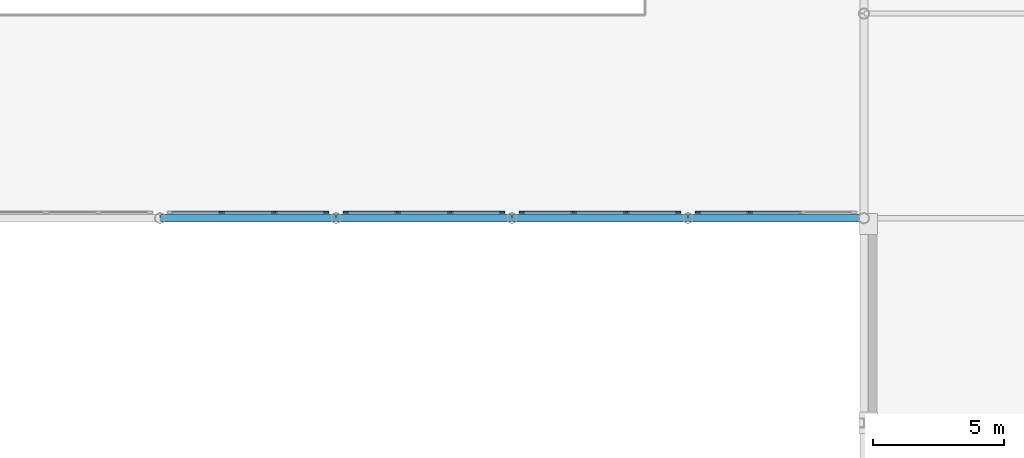
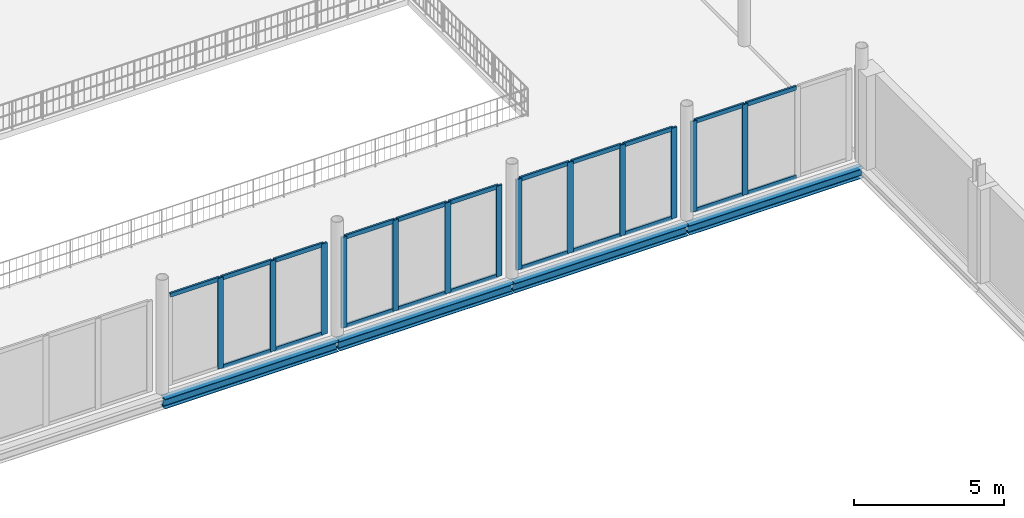
# One storey, part 29 of 98: 34 members, 4 beams, 4 elements without a shape of their own.
"""IFC4 building model written with IfcOpenShell, lengths in metres."""

from ifc_helpers import new_model, si_unit, direction, frame, origin, origin_2d, place, context, subcontext, project, spatial, rectangle, i_section, extrude, material, material_profile, profile_set, type_object, element, aggregate, save


model = new_model("IFC4")

# Units and contexts
model_context = context("Model", 3, precision=1e-05, world=origin(), true_north=direction((0.0, 1.0)))
body_context = subcontext(model_context, "Body", "Model", "MODEL_VIEW")
ifc_project = project(units=[si_unit("LENGTHUNIT", "METRE"), si_unit("AREAUNIT", "SQUARE_METRE"), si_unit("VOLUMEUNIT", "CUBIC_METRE"), si_unit("PLANEANGLEUNIT", "RADIAN"), si_unit("MASSUNIT", "GRAM", prefix="KILO")], contexts=[model_context])

# Site, building, storey
site_placement = place(None, origin())
site = spatial("IfcSite", under=ifc_project, at=site_placement, CompositionType="ELEMENT")
building_placement = place(site_placement, origin())
building = spatial("IfcBuilding", under=site, at=building_placement, Name="Nabrawat Pavilion Hospital", CompositionType="ELEMENT")
storey_placement = place(building_placement, frame((0.0, 0.0, 10.199951171875)))
storey = spatial("IfcBuildingStorey", under=building, at=storey_placement, Name="L02", CompositionType="ELEMENT", Elevation=10.199951171875)

# Curtain wall, members
ifc_material_1 = material(Name="Anodised Aluminium", Category="aluminium")
curtain_wall_type = type_object("IfcCurtainWallType", Name="Main Hall Pavilion Unitised Curtain Wall", PredefinedType="USERDEFINED", material=ifc_material_1)
curtain_wall_1_placement = place(storey_placement, origin())
curtain_wall_1 = element("IfcCurtainWall", 1, at=curtain_wall_1_placement, inside=storey, type_object=curtain_wall_type, Name="L02 Main Hall Pavilion Unitised Curtain Wall 104", ObjectType="CURTAIN WALL", PredefinedType="USERDEFINED")
ifc_material_profile_1 = material_profile(ifc_material_1, rectangle(XDim=0.074951171875, YDim=0.219970703125, at=origin_2d()), Name="CWM 75x220")
ifc_profile_set_1 = profile_set([ifc_material_profile_1], Name="Anodised Aluminium")
member_type_1 = type_object("IfcMemberType", Name="Main Hall Pavilion Unitised Curtain Wall Mullion CWM 75x220", PredefinedType="MULLION", material=ifc_profile_set_1)
member_1_placement = place(storey_placement, frame((101.518310546875, 15.820068359375, 0.0), z_axis=(0.0, 0.0, 1.0), x_axis=(0.0, 1.0, 0.0)))
member_1 = element("IfcMember", 2, at=member_1_placement, type_object=member_type_1, Name="CW-MH-01 mullion 2", PredefinedType="MULLION", context=body_context, shape_type="SweptSolid", body=[
    extrude(rectangle(XDim=0.074951171875, YDim=0.219970703125, at=origin_2d()), origin(), (0.0, 0.0, 1.0), 3.679931640625),
])
member_2_placement = place(storey_placement, frame((103.525634765625, 15.820068359375, 0.0), z_axis=(0.0, 0.0, 1.0), x_axis=(0.0, 1.0, 0.0)))
member_2 = element("IfcMember", 3, at=member_2_placement, type_object=member_type_1, Name="CW-MH-01 mullion 3", PredefinedType="MULLION", context=body_context, shape_type="SweptSolid", body=[
    extrude(rectangle(XDim=0.074951171875, YDim=0.219970703125, at=origin_2d()), origin(), (0.0, 0.0, 1.0), 3.679931640625),
])
member_3_placement = place(storey_placement, frame((105.495361328125, 15.820068359375, 0.0), z_axis=(0.0, 0.0, 1.0), x_axis=(0.0, 1.0, 0.0)))
member_3 = element("IfcMember", 4, at=member_3_placement, type_object=member_type_1, Name="CW-MH-01 mullion 4", PredefinedType="MULLION", context=body_context, shape_type="SweptSolid", body=[
    extrude(rectangle(XDim=0.074951171875, YDim=0.219970703125, at=origin_2d()), origin(), (0.0, 0.0, 1.0), 3.679931640625),
])

curtain_wall_2_placement = place(storey_placement, origin())
curtain_wall_2 = element("IfcCurtainWall", 5, at=curtain_wall_2_placement, inside=storey, type_object=curtain_wall_type, Name="L02 Main Hall Pavilion Unitised Curtain Wall 105", ObjectType="CURTAIN WALL", PredefinedType="USERDEFINED")
member_4_placement = place(storey_placement, frame((106.256591796875, 15.820068359375, 0.0), z_axis=(0.0, 0.0, 1.0), x_axis=(0.0, 1.0, 0.0)))
member_4 = element("IfcMember", 6, at=member_4_placement, type_object=member_type_1, Name="CW-MH-01 mullion 1", PredefinedType="MULLION", context=body_context, shape_type="SweptSolid", body=[
    extrude(rectangle(XDim=0.074951171875, YDim=0.219970703125, at=origin_2d()), origin(), (0.0, 0.0, 1.0), 3.679931640625),
])
member_5_placement = place(storey_placement, frame((108.226318359375, 15.820068359375, 0.0), z_axis=(0.0, 0.0, 1.0), x_axis=(0.0, 1.0, 0.0)))
member_5 = element("IfcMember", 7, at=member_5_placement, type_object=member_type_1, Name="CW-MH-01 mullion 2", PredefinedType="MULLION", context=body_context, shape_type="SweptSolid", body=[
    extrude(rectangle(XDim=0.074951171875, YDim=0.219970703125, at=origin_2d()), origin(), (0.0, 0.0, 1.0), 3.679931640625),
])
member_6_placement = place(storey_placement, frame((110.233642578125, 15.820068359375, 0.0), z_axis=(0.0, 0.0, 1.0), x_axis=(0.0, 1.0, 0.0)))
member_6 = element("IfcMember", 8, at=member_6_placement, type_object=member_type_1, Name="CW-MH-01 mullion 3", PredefinedType="MULLION", context=body_context, shape_type="SweptSolid", body=[
    extrude(rectangle(XDim=0.074951171875, YDim=0.219970703125, at=origin_2d()), origin(), (0.0, 0.0, 1.0), 3.679931640625),
])
member_7_placement = place(storey_placement, frame((112.203369140625, 15.820068359375, 0.0), z_axis=(0.0, 0.0, 1.0), x_axis=(0.0, 1.0, 0.0)))
member_7 = element("IfcMember", 9, at=member_7_placement, type_object=member_type_1, Name="CW-MH-01 mullion 4", PredefinedType="MULLION", context=body_context, shape_type="SweptSolid", body=[
    extrude(rectangle(XDim=0.074951171875, YDim=0.219970703125, at=origin_2d()), origin(), (0.0, 0.0, 1.0), 3.679931640625),
])

curtain_wall_3_placement = place(storey_placement, origin())
curtain_wall_3 = element("IfcCurtainWall", 10, at=curtain_wall_3_placement, inside=storey, type_object=curtain_wall_type, Name="L02 Main Hall Pavilion Unitised Curtain Wall 106", ObjectType="CURTAIN WALL", PredefinedType="USERDEFINED")
member_8_placement = place(storey_placement, frame((112.964599609375, 15.820068359375, 0.0), z_axis=(0.0, 0.0, 1.0), x_axis=(0.0, 1.0, 0.0)))
member_8 = element("IfcMember", 11, at=member_8_placement, type_object=member_type_1, Name="CW-MH-01 mullion 1", PredefinedType="MULLION", context=body_context, shape_type="SweptSolid", body=[
    extrude(rectangle(XDim=0.074951171875, YDim=0.219970703125, at=origin_2d()), origin(), (0.0, 0.0, 1.0), 3.679931640625),
])
member_9_placement = place(storey_placement, frame((114.934326171875, 15.820068359375, 0.0), z_axis=(0.0, 0.0, 1.0), x_axis=(0.0, 1.0, 0.0)))
member_9 = element("IfcMember", 12, at=member_9_placement, type_object=member_type_1, Name="CW-MH-01 mullion 2", PredefinedType="MULLION", context=body_context, shape_type="SweptSolid", body=[
    extrude(rectangle(XDim=0.074951171875, YDim=0.219970703125, at=origin_2d()), origin(), (0.0, 0.0, 1.0), 3.679931640625),
])
member_10_placement = place(storey_placement, frame((116.941650390625, 15.820068359375, 0.0), z_axis=(0.0, 0.0, 1.0), x_axis=(0.0, 1.0, 0.0)))
member_10 = element("IfcMember", 13, at=member_10_placement, type_object=member_type_1, Name="CW-MH-01 mullion 3", PredefinedType="MULLION", context=body_context, shape_type="SweptSolid", body=[
    extrude(rectangle(XDim=0.074951171875, YDim=0.219970703125, at=origin_2d()), origin(), (0.0, 0.0, 1.0), 3.679931640625),
])
member_11_placement = place(storey_placement, frame((118.911376953125, 15.820068359375, 0.0), z_axis=(0.0, 0.0, 1.0), x_axis=(0.0, 1.0, 0.0)))
member_11 = element("IfcMember", 14, at=member_11_placement, type_object=member_type_1, Name="CW-MH-01 mullion 4", PredefinedType="MULLION", context=body_context, shape_type="SweptSolid", body=[
    extrude(rectangle(XDim=0.074951171875, YDim=0.219970703125, at=origin_2d()), origin(), (0.0, 0.0, 1.0), 3.679931640625),
])

curtain_wall_4_placement = place(storey_placement, origin())
curtain_wall_4 = element("IfcCurtainWall", 15, at=curtain_wall_4_placement, inside=storey, type_object=curtain_wall_type, Name="L02 Main Hall Pavilion Unitised Curtain Wall 107", ObjectType="CURTAIN WALL", PredefinedType="USERDEFINED")
member_12_placement = place(storey_placement, frame((119.672607421875, 15.820068359375, 0.0), z_axis=(0.0, 0.0, 1.0), x_axis=(0.0, 1.0, 0.0)))
member_12 = element("IfcMember", 16, at=member_12_placement, type_object=member_type_1, Name="CW-MH-01 mullion 1", PredefinedType="MULLION", context=body_context, shape_type="SweptSolid", body=[
    extrude(rectangle(XDim=0.074951171875, YDim=0.219970703125, at=origin_2d()), origin(), (0.0, 0.0, 1.0), 3.679931640625),
])
member_13_placement = place(storey_placement, frame((121.642333984375, 15.820068359375, 0.0), z_axis=(0.0, 0.0, 1.0), x_axis=(0.0, 1.0, 0.0)))
member_13 = element("IfcMember", 17, at=member_13_placement, type_object=member_type_1, Name="CW-MH-01 mullion 2", PredefinedType="MULLION", context=body_context, shape_type="SweptSolid", body=[
    extrude(rectangle(XDim=0.074951171875, YDim=0.219970703125, at=origin_2d()), origin(), (0.0, 0.0, 1.0), 3.679931640625),
])

# Member
ifc_material_profile_2 = material_profile(ifc_material_1, rectangle(XDim=0.074951171875, YDim=0.1650390625, at=origin_2d()), Name="CWT 75x165")
ifc_profile_set_2 = profile_set([ifc_material_profile_2], Name="Anodised Aluminium")
member_type_2 = type_object("IfcMemberType", Name="Main Hall Pavilion Unitised Curtain Wall Transom CWT 75x165", PredefinedType="USERDEFINED", material=ifc_profile_set_2)
member_14_placement = place(storey_placement, frame((99.586181640625, 15.820068359375, 3.642578125), z_axis=(1.0, 0.0, 0.0), x_axis=(0.0, 1.0, 0.0)))
member_14 = element("IfcMember", 18, at=member_14_placement, type_object=member_type_2, Name="CW-MH-01 transom 1.2", ObjectType="TRANSOM", PredefinedType="USERDEFINED", context=body_context, shape_type="SweptSolid", body=[
    extrude(rectangle(XDim=0.074951171875, YDim=0.1650390625, at=origin_2d()), origin(), (0.0, 0.0, 1.0), 1.894775390625),
])

member_15_placement = place(storey_placement, frame((101.555908203125, 15.820068359375, 0.03759765625), z_axis=(1.0, 0.0, 0.0), x_axis=(0.0, 1.0, 0.0)))
member_15 = element("IfcMember", 19, at=member_15_placement, type_object=member_type_2, Name="CW-MH-01 transom 2.1", ObjectType="TRANSOM", PredefinedType="USERDEFINED", context=body_context, shape_type="SweptSolid", body=[
    extrude(rectangle(XDim=0.074951171875, YDim=0.1650390625, at=origin_2d()), origin(), (0.0, 0.0, 1.0), 1.93212890625),
])

member_16_placement = place(storey_placement, frame((101.555908203125, 15.820068359375, 3.642578125), z_axis=(1.0, 0.0, 0.0), x_axis=(0.0, 1.0, 0.0)))
member_16 = element("IfcMember", 20, at=member_16_placement, type_object=member_type_2, Name="CW-MH-01 transom 2.2", ObjectType="TRANSOM", PredefinedType="USERDEFINED", context=body_context, shape_type="SweptSolid", body=[
    extrude(rectangle(XDim=0.074951171875, YDim=0.1650390625, at=origin_2d()), origin(), (0.0, 0.0, 1.0), 1.93212890625),
])

member_17_placement = place(storey_placement, frame((103.56298828125, 15.820068359375, 0.03759765625), z_axis=(1.0, 0.0, 0.0), x_axis=(0.0, 1.0, 0.0)))
member_17 = element("IfcMember", 21, at=member_17_placement, type_object=member_type_2, Name="CW-MH-01 transom 3.1", ObjectType="TRANSOM", PredefinedType="USERDEFINED", context=body_context, shape_type="SweptSolid", body=[
    extrude(rectangle(XDim=0.074951171875, YDim=0.1650390625, at=origin_2d()), origin(), (0.0, 0.0, 1.0), 1.894775390625),
])

member_18_placement = place(storey_placement, frame((103.56298828125, 15.820068359375, 3.642578125), z_axis=(1.0, 0.0, 0.0), x_axis=(0.0, 1.0, 0.0)))
member_18 = element("IfcMember", 22, at=member_18_placement, type_object=member_type_2, Name="CW-MH-01 transom 3.2", ObjectType="TRANSOM", PredefinedType="USERDEFINED", context=body_context, shape_type="SweptSolid", body=[
    extrude(rectangle(XDim=0.074951171875, YDim=0.1650390625, at=origin_2d()), origin(), (0.0, 0.0, 1.0), 1.894775390625),
])

aggregate(curtain_wall_1, [member_1, member_2, member_3, member_14, member_15, member_16, member_17, member_18])

member_19_placement = place(storey_placement, frame((106.294189453125, 15.820068359375, 0.03759765625), z_axis=(1.0, 0.0, 0.0), x_axis=(0.0, 1.0, 0.0)))
member_19 = element("IfcMember", 23, at=member_19_placement, type_object=member_type_2, Name="CW-MH-01 transom 1.1", ObjectType="TRANSOM", PredefinedType="USERDEFINED", context=body_context, shape_type="SweptSolid", body=[
    extrude(rectangle(XDim=0.074951171875, YDim=0.1650390625, at=origin_2d()), origin(), (0.0, 0.0, 1.0), 1.894775390625),
])

member_20_placement = place(storey_placement, frame((106.294189453125, 15.820068359375, 3.642578125), z_axis=(1.0, 0.0, 0.0), x_axis=(0.0, 1.0, 0.0)))
member_20 = element("IfcMember", 24, at=member_20_placement, type_object=member_type_2, Name="CW-MH-01 transom 1.2", ObjectType="TRANSOM", PredefinedType="USERDEFINED", context=body_context, shape_type="SweptSolid", body=[
    extrude(rectangle(XDim=0.074951171875, YDim=0.1650390625, at=origin_2d()), origin(), (0.0, 0.0, 1.0), 1.894775390625),
])

member_21_placement = place(storey_placement, frame((108.263916015625, 15.820068359375, 0.03759765625), z_axis=(1.0, 0.0, 0.0), x_axis=(0.0, 1.0, 0.0)))
member_21 = element("IfcMember", 25, at=member_21_placement, type_object=member_type_2, Name="CW-MH-01 transom 2.1", ObjectType="TRANSOM", PredefinedType="USERDEFINED", context=body_context, shape_type="SweptSolid", body=[
    extrude(rectangle(XDim=0.074951171875, YDim=0.1650390625, at=origin_2d()), origin(), (0.0, 0.0, 1.0), 1.93212890625),
])

member_22_placement = place(storey_placement, frame((108.263916015625, 15.820068359375, 3.642578125), z_axis=(1.0, 0.0, 0.0), x_axis=(0.0, 1.0, 0.0)))
member_22 = element("IfcMember", 26, at=member_22_placement, type_object=member_type_2, Name="CW-MH-01 transom 2.2", ObjectType="TRANSOM", PredefinedType="USERDEFINED", context=body_context, shape_type="SweptSolid", body=[
    extrude(rectangle(XDim=0.074951171875, YDim=0.1650390625, at=origin_2d()), origin(), (0.0, 0.0, 1.0), 1.93212890625),
])

member_23_placement = place(storey_placement, frame((110.27099609375, 15.820068359375, 0.03759765625), z_axis=(1.0, 0.0, 0.0), x_axis=(0.0, 1.0, 0.0)))
member_23 = element("IfcMember", 27, at=member_23_placement, type_object=member_type_2, Name="CW-MH-01 transom 3.1", ObjectType="TRANSOM", PredefinedType="USERDEFINED", context=body_context, shape_type="SweptSolid", body=[
    extrude(rectangle(XDim=0.074951171875, YDim=0.1650390625, at=origin_2d()), origin(), (0.0, 0.0, 1.0), 1.894775390625),
])

member_24_placement = place(storey_placement, frame((110.27099609375, 15.820068359375, 3.642578125), z_axis=(1.0, 0.0, 0.0), x_axis=(0.0, 1.0, 0.0)))
member_24 = element("IfcMember", 28, at=member_24_placement, type_object=member_type_2, Name="CW-MH-01 transom 3.2", ObjectType="TRANSOM", PredefinedType="USERDEFINED", context=body_context, shape_type="SweptSolid", body=[
    extrude(rectangle(XDim=0.074951171875, YDim=0.1650390625, at=origin_2d()), origin(), (0.0, 0.0, 1.0), 1.894775390625),
])

aggregate(curtain_wall_2, [member_4, member_5, member_6, member_7, member_19, member_20, member_21, member_22, member_23, member_24])

member_25_placement = place(storey_placement, frame((113.002197265625, 15.820068359375, 0.03759765625), z_axis=(1.0, 0.0, 0.0), x_axis=(0.0, 1.0, 0.0)))
member_25 = element("IfcMember", 29, at=member_25_placement, type_object=member_type_2, Name="CW-MH-01 transom 1.1", ObjectType="TRANSOM", PredefinedType="USERDEFINED", context=body_context, shape_type="SweptSolid", body=[
    extrude(rectangle(XDim=0.074951171875, YDim=0.1650390625, at=origin_2d()), origin(), (0.0, 0.0, 1.0), 1.894775390625),
])

member_26_placement = place(storey_placement, frame((113.002197265625, 15.820068359375, 3.642578125), z_axis=(1.0, 0.0, 0.0), x_axis=(0.0, 1.0, 0.0)))
member_26 = element("IfcMember", 30, at=member_26_placement, type_object=member_type_2, Name="CW-MH-01 transom 1.2", ObjectType="TRANSOM", PredefinedType="USERDEFINED", context=body_context, shape_type="SweptSolid", body=[
    extrude(rectangle(XDim=0.074951171875, YDim=0.1650390625, at=origin_2d()), origin(), (0.0, 0.0, 1.0), 1.894775390625),
])

member_27_placement = place(storey_placement, frame((114.971923828125, 15.820068359375, 0.03759765625), z_axis=(1.0, 0.0, 0.0), x_axis=(0.0, 1.0, 0.0)))
member_27 = element("IfcMember", 31, at=member_27_placement, type_object=member_type_2, Name="CW-MH-01 transom 2.1", ObjectType="TRANSOM", PredefinedType="USERDEFINED", context=body_context, shape_type="SweptSolid", body=[
    extrude(rectangle(XDim=0.074951171875, YDim=0.1650390625, at=origin_2d()), origin(), (0.0, 0.0, 1.0), 1.93212890625),
])

member_28_placement = place(storey_placement, frame((114.971923828125, 15.820068359375, 3.642578125), z_axis=(1.0, 0.0, 0.0), x_axis=(0.0, 1.0, 0.0)))
member_28 = element("IfcMember", 32, at=member_28_placement, type_object=member_type_2, Name="CW-MH-01 transom 2.2", ObjectType="TRANSOM", PredefinedType="USERDEFINED", context=body_context, shape_type="SweptSolid", body=[
    extrude(rectangle(XDim=0.074951171875, YDim=0.1650390625, at=origin_2d()), origin(), (0.0, 0.0, 1.0), 1.93212890625),
])

member_29_placement = place(storey_placement, frame((116.97900390625, 15.820068359375, 0.03759765625), z_axis=(1.0, 0.0, 0.0), x_axis=(0.0, 1.0, 0.0)))
member_29 = element("IfcMember", 33, at=member_29_placement, type_object=member_type_2, Name="CW-MH-01 transom 3.1", ObjectType="TRANSOM", PredefinedType="USERDEFINED", context=body_context, shape_type="SweptSolid", body=[
    extrude(rectangle(XDim=0.074951171875, YDim=0.1650390625, at=origin_2d()), origin(), (0.0, 0.0, 1.0), 1.894775390625),
])

member_30_placement = place(storey_placement, frame((116.97900390625, 15.820068359375, 3.642578125), z_axis=(1.0, 0.0, 0.0), x_axis=(0.0, 1.0, 0.0)))
member_30 = element("IfcMember", 34, at=member_30_placement, type_object=member_type_2, Name="CW-MH-01 transom 3.2", ObjectType="TRANSOM", PredefinedType="USERDEFINED", context=body_context, shape_type="SweptSolid", body=[
    extrude(rectangle(XDim=0.074951171875, YDim=0.1650390625, at=origin_2d()), origin(), (0.0, 0.0, 1.0), 1.894775390625),
])

aggregate(curtain_wall_3, [member_8, member_9, member_10, member_11, member_25, member_26, member_27, member_28, member_29, member_30])

member_31_placement = place(storey_placement, frame((119.710205078125, 15.820068359375, 0.03759765625), z_axis=(1.0, 0.0, 0.0), x_axis=(0.0, 1.0, 0.0)))
member_31 = element("IfcMember", 35, at=member_31_placement, type_object=member_type_2, Name="CW-MH-01 transom 1.1", ObjectType="TRANSOM", PredefinedType="USERDEFINED", context=body_context, shape_type="SweptSolid", body=[
    extrude(rectangle(XDim=0.074951171875, YDim=0.1650390625, at=origin_2d()), origin(), (0.0, 0.0, 1.0), 1.894775390625),
])

member_32_placement = place(storey_placement, frame((119.710205078125, 15.820068359375, 3.642578125), z_axis=(1.0, 0.0, 0.0), x_axis=(0.0, 1.0, 0.0)))
member_32 = element("IfcMember", 36, at=member_32_placement, type_object=member_type_2, Name="CW-MH-01 transom 1.2", ObjectType="TRANSOM", PredefinedType="USERDEFINED", context=body_context, shape_type="SweptSolid", body=[
    extrude(rectangle(XDim=0.074951171875, YDim=0.1650390625, at=origin_2d()), origin(), (0.0, 0.0, 1.0), 1.894775390625),
])

member_33_placement = place(storey_placement, frame((121.679931640625, 15.820068359375, 0.03759765625), z_axis=(1.0, 0.0, 0.0), x_axis=(0.0, 1.0, 0.0)))
member_33 = element("IfcMember", 37, at=member_33_placement, type_object=member_type_2, Name="CW-MH-01 transom 2.1", ObjectType="TRANSOM", PredefinedType="USERDEFINED", context=body_context, shape_type="SweptSolid", body=[
    extrude(rectangle(XDim=0.074951171875, YDim=0.1650390625, at=origin_2d()), origin(), (0.0, 0.0, 1.0), 1.93212890625),
])

member_34_placement = place(storey_placement, frame((121.679931640625, 15.820068359375, 3.642578125), z_axis=(1.0, 0.0, 0.0), x_axis=(0.0, 1.0, 0.0)))
member_34 = element("IfcMember", 38, at=member_34_placement, type_object=member_type_2, Name="CW-MH-01 transom 2.2", ObjectType="TRANSOM", PredefinedType="USERDEFINED", context=body_context, shape_type="SweptSolid", body=[
    extrude(rectangle(XDim=0.074951171875, YDim=0.1650390625, at=origin_2d()), origin(), (0.0, 0.0, 1.0), 1.93212890625),
])

aggregate(curtain_wall_4, [member_12, member_13, member_31, member_32, member_33, member_34])

# Beams
ifc_material_2 = material(Name="Steel S355", Category="steel")
ifc_material_profile_3 = material_profile(ifc_material_2, i_section(OverallWidth=0.300048828125, OverallDepth=0.389892578125, WebThickness=0.010986328125, FlangeThickness=0.01904296875, FilletRadius=0.027099609375, at=origin_2d()), Name="HEA 400")
ifc_profile_set_3 = profile_set([ifc_material_profile_3], Name="Steel S355")
beam_type = type_object("IfcBeamType", Name="Perimeter Moment Spandrel Beam HEA 400", PredefinedType="SPANDREL", material=ifc_profile_set_3)
for number, where, z_axis, x_axis, name in (
    (39, (99.18798828125, 15.60009765625, -0.43505859375), (1.0, 0.0, 0.0), (0.0, 1.0, 0.0), "L02 Primary X Girder 959"),
    (40, (105.89599609375, 15.60009765625, -0.43505859375), (1.0, 0.0, 0.0), (0.0, 1.0, 0.0), "L02 Primary X Girder 960"),
    (41, (112.60400390625, 15.60009765625, -0.43505859375), (1.0, 0.0, 0.0), (0.0, 1.0, 0.0), "L02 Primary X Girder 961"),
    (42, (119.31201171875, 15.60009765625, -0.43505859375), (1.0, 0.0, 0.0), (0.0, 1.0, 0.0), "L02 Primary X Girder 962"),
):
    element("IfcBeam", number, at=place(storey_placement, frame(where, z_axis=z_axis, x_axis=x_axis)), inside=storey, type_object=beam_type, Name=name, PredefinedType="SPANDREL", context=body_context, shape_type="SweptSolid", body=[
        extrude(i_section(OverallWidth=0.300048828125, OverallDepth=0.389892578125, WebThickness=0.010986328125, FlangeThickness=0.01904296875, FilletRadius=0.027099609375, at=origin_2d()), origin(), (0.0, 0.0, 1.0), 6.66796875),
    ])

save(model, "model.ifc")
